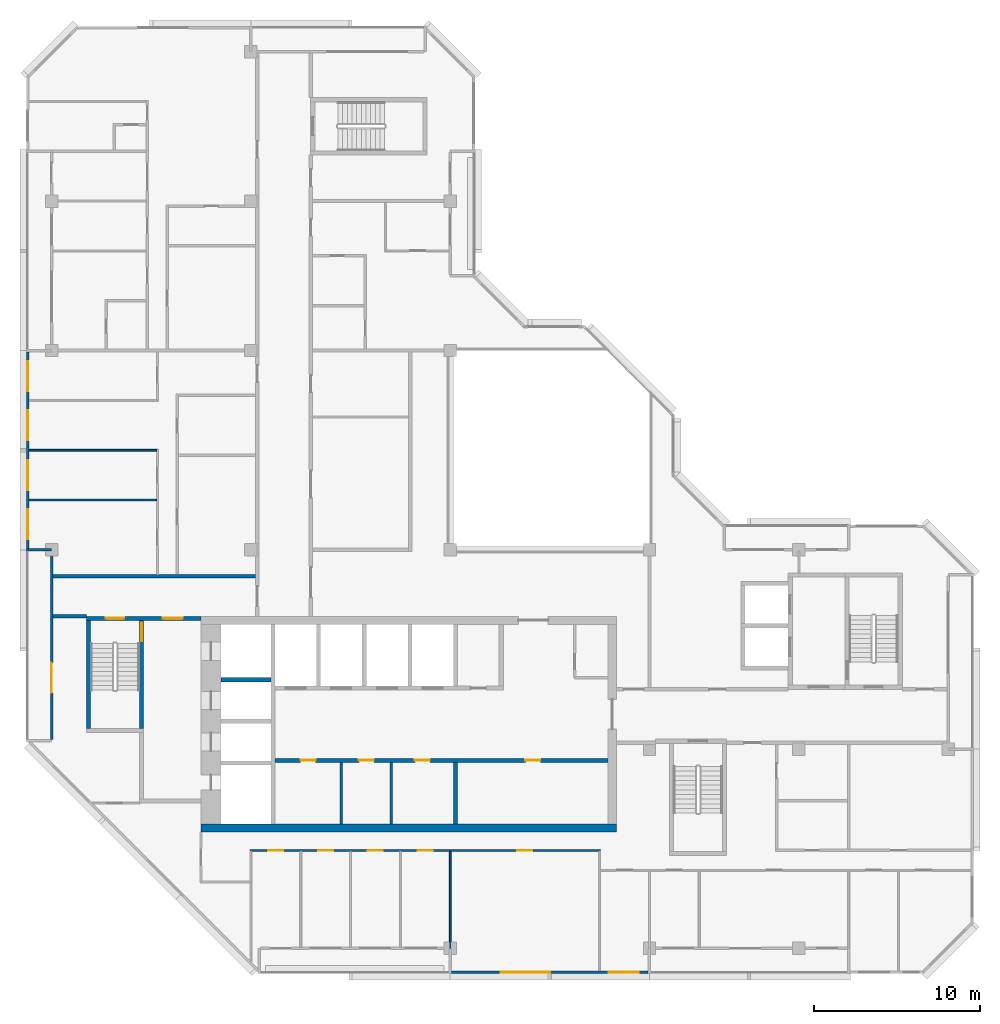
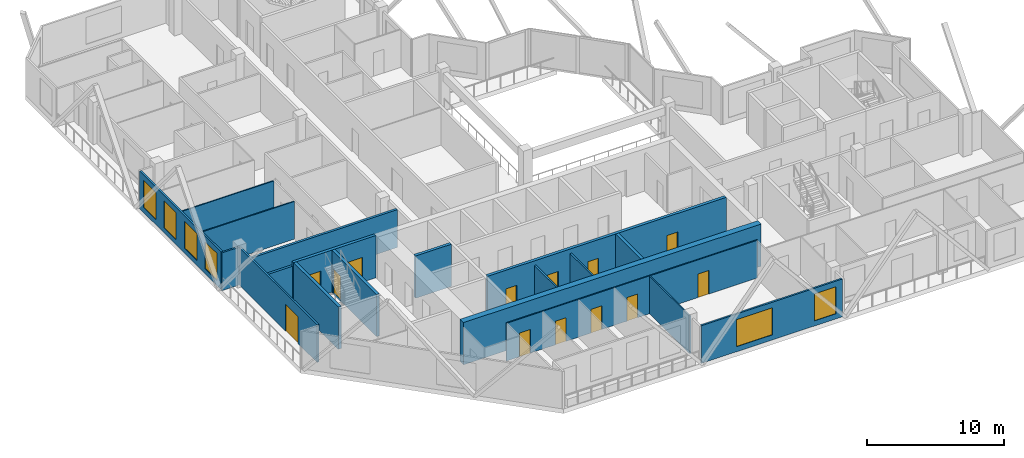
# One storey, part 4 of 11: 19 walls, 13 doors, 6 windows, 19 openings.
"""IFC4 building model written with IfcOpenShell, lengths in metres."""

from ifc_helpers import new_model, si_unit, direction, frame, frame_2d, origin, place, context, subcontext, project, spatial, rectangle, extrude, material, layer, layer_set, type_object, element, fill, save


model = new_model("IFC4")

# Units and contexts
model_context = context("Model", 3, precision=1e-05, world=origin(), true_north=direction((0.0, 1.0)))
body_context = subcontext(model_context, "Body", "Model", "MODEL_VIEW")
ifc_project = project(units=[si_unit("LENGTHUNIT", "METRE"), si_unit("AREAUNIT", "SQUARE_METRE"), si_unit("VOLUMEUNIT", "CUBIC_METRE"), si_unit("PLANEANGLEUNIT", "RADIAN"), si_unit("MASSUNIT", "GRAM", prefix="KILO")], contexts=[model_context])

# Site, building, storey
site_placement = place(None, origin())
site = spatial("IfcSite", under=ifc_project, at=site_placement, CompositionType="ELEMENT")
building_placement = place(site_placement, origin())
building = spatial("IfcBuilding", under=site, at=building_placement, Name="Chenar Terraces", CompositionType="ELEMENT")
storey_placement = place(building_placement, frame((0.0, 0.0, 376.39990234375)))
storey = spatial("IfcBuildingStorey", under=building, at=storey_placement, Name="L88", CompositionType="ELEMENT", Elevation=376.39990234375)

# Walls
ifc_material_1 = material(Name="Gypsum board on steel studs", Category="steel")
ifc_layer_1 = layer(ifc_material_1, 0.14990234375)
ifc_layer_set_1 = layer_set([ifc_layer_1], Name="Gypsum board on steel studs")
wall_type_1 = type_object("IfcWallType", Name="Core partition 150 gypsum board", PredefinedType="PARTITIONING", material=ifc_layer_set_1)
for number, where, z_axis, x_axis, name in (
    (1, (17.449951171875, 7.5, 0.0), (0.0, 0.0, 1.0), (0.0, 1.0, 0.0), "Core partition CP1 freed bay wall"),
    (2, (20.449951171875, 7.5, 0.0), (0.0, 0.0, 1.0), (0.0, 1.0, 0.0), "Core partition CP1 freed bay wall"),
):
    element("IfcWall", number, at=place(storey_placement, frame(where, z_axis=z_axis, x_axis=x_axis)), inside=storey, type_object=wall_type_1, Name=name, PredefinedType="PARTITIONING", context=body_context, shape_type="SweptSolid", body=[
        extrude(rectangle(XDim=3.699951171875, YDim=0.14990234375, at=frame_2d((1.85009765625, 0.0))), origin(), (0.0, 0.0, 1.0), 3.35009765625),
    ])

# Wall, openings, doors
ifc_material_2 = material(Name="Concrete C50/60", Category="concrete")
ifc_layer_2 = layer(ifc_material_2, 0.25)
ifc_layer_set_2 = layer_set([ifc_layer_2], Name="Concrete C50/60")
wall_type_2 = type_object("IfcWallType", Name="Core wall 250 Concrete C50/60", PredefinedType="SHEAR", material=ifc_layer_set_2)
wall_1_placement = place(storey_placement, frame((13.449951171875, 11.324951171875, 0.0), z_axis=(0.0, 0.0, 1.0), x_axis=(1.0, 0.0, 0.0)))
wall_1 = element("IfcWall", 3, at=wall_1_placement, inside=storey, type_object=wall_type_2, Name="Core wall SF L88", PredefinedType="SHEAR", context=body_context, shape_type="SweptSolid", body=[
    extrude(rectangle(XDim=20.050048828125, YDim=0.25, at=frame_2d((10.02490234375, 0.0))), origin(), (0.0, 0.0, 1.0), 3.75),
])
opening_1_placement = place(wall_1_placement, frame((1.550048828125, 0.0, 0.0)))
opening_1 = element("IfcOpeningElement", 4, at=opening_1_placement, cuts=wall_1, Name="Opening DL88-C12", PredefinedType="OPENING", context=body_context, shape_type="SweptSolid", body=[
    extrude(rectangle(XDim=0.89990234375, YDim=2.10009765625, at=frame_2d((0.449951171875, 1.050048828125))), frame((0.0, 0.135009765625, 0.0), z_axis=(0.0, -1.0, 0.0), x_axis=(1.0, 0.0, 0.0)), (0.0, 0.0, 1.0), 0.27001953125),
])
opening_2_placement = place(wall_1_placement, frame((5.050048828125, 0.0, 0.0)))
opening_2 = element("IfcOpeningElement", 5, at=opening_2_placement, cuts=wall_1, Name="Opening DL88-C13", PredefinedType="OPENING", context=body_context, shape_type="SweptSolid", body=[
    extrude(rectangle(XDim=0.89990234375, YDim=2.10009765625, at=frame_2d((0.449951171875, 1.050048828125))), frame((0.0, 0.135009765625, 0.0), z_axis=(0.0, -1.0, 0.0), x_axis=(1.0, 0.0, 0.0)), (0.0, 0.0, 1.0), 0.27001953125),
])
opening_3_placement = place(wall_1_placement, frame((8.425048828125, 0.0, 0.0)))
opening_3 = element("IfcOpeningElement", 6, at=opening_3_placement, cuts=wall_1, Name="Opening DL88-C14", PredefinedType="OPENING", context=body_context, shape_type="SweptSolid", body=[
    extrude(rectangle(XDim=0.89990234375, YDim=2.10009765625, at=frame_2d((0.449951171875, 1.050048828125))), frame((0.0, 0.135009765625, 0.0), z_axis=(0.0, -1.0, 0.0), x_axis=(1.0, 0.0, 0.0)), (0.0, 0.0, 1.0), 0.27001953125),
])
opening_4_placement = place(wall_1_placement, frame((15.074951171875, 0.0, 0.0)))
opening_4 = element("IfcOpeningElement", 7, at=opening_4_placement, cuts=wall_1, Name="Opening DL88-C15", PredefinedType="OPENING", context=body_context, shape_type="SweptSolid", body=[
    extrude(rectangle(XDim=0.89990234375, YDim=2.10009765625, at=frame_2d((0.449951171875, 1.050048828125))), frame((0.0, 0.135009765625, 0.0), z_axis=(0.0, -1.0, 0.0), x_axis=(1.0, 0.0, 0.0)), (0.0, 0.0, 1.0), 0.27001953125),
])
ifc_material_3 = material(Name="Steel-framed fire-resisting door leaf", Category="steel")
door_type_1 = type_object("IfcDoorType", Name="Riser fire door FD60 900 x 2100", OperationType="SINGLE_SWING_LEFT", PredefinedType="DOOR", material=ifc_material_3)
door_1_placement = place(opening_1_placement, frame((0.89990234375, 0.0, 0.0), z_axis=(0.0, 0.0, 1.0), x_axis=(-1.0, 0.0, 0.0)))
door_1 = element("IfcDoor", 8, at=door_1_placement, inside=storey, type_object=door_type_1, Name="Core room door DL88-C12", OperationType="SINGLE_SWING_LEFT", OverallHeight=2.10009765625, OverallWidth=0.89990234375, PredefinedType="DOOR", context=body_context, shape_type="SweptSolid", body=[
    extrude(rectangle(XDim=0.89990234375, YDim=2.10009765625, at=frame_2d((0.449951171875, 1.050048828125))), frame((0.0, 0.02490234375, 0.0), z_axis=(0.0, -1.0, 0.0), x_axis=(1.0, 0.0, 0.0)), (0.0, 0.0, 1.0), 0.050048828125),
])
fill(opening_1, door_1)
door_2_placement = place(opening_2_placement, frame((0.89990234375, 0.0, 0.0), z_axis=(0.0, 0.0, 1.0), x_axis=(-1.0, 0.0, 0.0)))
door_2 = element("IfcDoor", 9, at=door_2_placement, inside=storey, type_object=door_type_1, Name="Core room door DL88-C13", OperationType="SINGLE_SWING_LEFT", OverallHeight=2.10009765625, OverallWidth=0.89990234375, PredefinedType="DOOR", context=body_context, shape_type="SweptSolid", body=[
    extrude(rectangle(XDim=0.89990234375, YDim=2.10009765625, at=frame_2d((0.449951171875, 1.050048828125))), frame((0.0, 0.02490234375, 0.0), z_axis=(0.0, -1.0, 0.0), x_axis=(1.0, 0.0, 0.0)), (0.0, 0.0, 1.0), 0.050048828125),
])
fill(opening_2, door_2)
door_3_placement = place(opening_3_placement, frame((0.89990234375, 0.0, 0.0), z_axis=(0.0, 0.0, 1.0), x_axis=(-1.0, 0.0, 0.0)))
door_3 = element("IfcDoor", 10, at=door_3_placement, inside=storey, type_object=door_type_1, Name="Core room door DL88-C14", OperationType="SINGLE_SWING_RIGHT", OverallHeight=2.10009765625, OverallWidth=0.89990234375, PredefinedType="DOOR", context=body_context, shape_type="SweptSolid", body=[
    extrude(rectangle(XDim=0.89990234375, YDim=2.10009765625, at=frame_2d((0.449951171875, 1.050048828125))), frame((0.0, 0.02490234375, 0.0), z_axis=(0.0, -1.0, 0.0), x_axis=(1.0, 0.0, 0.0)), (0.0, 0.0, 1.0), 0.050048828125),
])
fill(opening_3, door_3)
door_4_placement = place(opening_4_placement, frame((0.89990234375, 0.0, 0.0), z_axis=(0.0, 0.0, 1.0), x_axis=(-1.0, 0.0, 0.0)))
door_4 = element("IfcDoor", 11, at=door_4_placement, inside=storey, type_object=door_type_1, Name="Core room door DL88-C15", OperationType="SINGLE_SWING_RIGHT", OverallHeight=2.10009765625, OverallWidth=0.89990234375, PredefinedType="DOOR", context=body_context, shape_type="SweptSolid", body=[
    extrude(rectangle(XDim=0.89990234375, YDim=2.10009765625, at=frame_2d((0.449951171875, 1.050048828125))), frame((0.0, 0.02490234375, 0.0), z_axis=(0.0, -1.0, 0.0), x_axis=(1.0, 0.0, 0.0)), (0.0, 0.0, 1.0), 0.050048828125),
])
fill(opening_4, door_4)

# Walls
wall_2_placement = place(storey_placement, frame((10.199951171875, 16.175048828125, 0.0), z_axis=(0.0, 0.0, 1.0), x_axis=(1.0, 0.0, 0.0)))
element("IfcWall", 12, at=wall_2_placement, inside=storey, type_object=wall_type_2, Name="Core wall HW2 L88", PredefinedType="SHEAR", context=body_context, shape_type="SweptSolid", body=[
    extrude(rectangle(XDim=3.0, YDim=0.25, at=frame_2d((1.5, 0.0))), origin(), (0.0, 0.0, 1.0), 3.75),
])
wall_3_placement = place(storey_placement, frame((24.324951171875, 7.5, 0.0), z_axis=(0.0, 0.0, 1.0), x_axis=(0.0, 1.0, 0.0)))
element("IfcWall", 13, at=wall_3_placement, inside=storey, type_object=wall_type_2, Name="Core wall SS3 L88", PredefinedType="SHEAR", context=body_context, shape_type="SweptSolid", body=[
    extrude(rectangle(XDim=3.699951171875, YDim=0.25, at=frame_2d((1.85009765625, 0.0))), origin(), (0.0, 0.0, 1.0), 3.75),
])

# Wall, openings, doors
wall_4_placement = place(storey_placement, frame((2.10009765625, 19.875, 0.0), z_axis=(0.0, 0.0, 1.0), x_axis=(1.0, 0.0, 0.0)))
wall_4 = element("IfcWall", 14, at=wall_4_placement, inside=storey, type_object=wall_type_2, Name="Core wall A_N L88", PredefinedType="SHEAR", context=body_context, shape_type="SweptSolid", body=[
    extrude(rectangle(XDim=6.89990234375, YDim=0.25, at=frame_2d((3.449951171875, 0.0))), origin(), (0.0, 0.0, 1.0), 3.75),
])
opening_5_placement = place(wall_4_placement, frame((1.175048828125, 0.0, 0.0)))
opening_5 = element("IfcOpeningElement", 15, at=opening_5_placement, cuts=wall_4, Name="Opening DL88-C5", PredefinedType="OPENING", context=body_context, shape_type="SweptSolid", body=[
    extrude(rectangle(XDim=1.10009765625, YDim=2.199951171875, at=frame_2d((0.550048828125, 1.10009765625))), frame((0.0, 0.135009765625, 0.0), z_axis=(0.0, -1.0, 0.0), x_axis=(1.0, 0.0, 0.0)), (0.0, 0.0, 1.0), 0.27001953125),
])
opening_6_placement = place(wall_4_placement, frame((4.60009765625, 0.0, 0.0)))
opening_6 = element("IfcOpeningElement", 16, at=opening_6_placement, cuts=wall_4, Name="Opening DL88-C6", PredefinedType="OPENING", context=body_context, shape_type="SweptSolid", body=[
    extrude(rectangle(XDim=1.199951171875, YDim=2.199951171875, at=frame_2d((0.60009765625, 1.10009765625))), frame((0.0, 0.135009765625, 0.0), z_axis=(0.0, -1.0, 0.0), x_axis=(1.0, 0.0, 0.0)), (0.0, 0.0, 1.0), 0.27001953125),
])
ifc_material_4 = material(Name="Steel-framed fire-resisting door leaf", Category="steel")
door_type_2 = type_object("IfcDoorType", Name="Lobby fire door FD60 1200 x 2200", OperationType="SINGLE_SWING_LEFT", PredefinedType="DOOR", material=ifc_material_4)
door_5_placement = place(opening_6_placement, frame((1.199951171875, 0.0, 0.0), z_axis=(0.0, 0.0, 1.0), x_axis=(-1.0, 0.0, 0.0)))
door_5 = element("IfcDoor", 17, at=door_5_placement, inside=storey, type_object=door_type_2, Name="Core door DL88-C6", OperationType="SINGLE_SWING_LEFT", OverallHeight=2.199951171875, OverallWidth=1.199951171875, PredefinedType="DOOR", context=body_context, shape_type="SweptSolid", body=[
    extrude(rectangle(XDim=1.199951171875, YDim=2.199951171875, at=frame_2d((0.60009765625, 1.10009765625))), frame((0.0, 0.02490234375, 0.0), z_axis=(0.0, -1.0, 0.0), x_axis=(1.0, 0.0, 0.0)), (0.0, 0.0, 1.0), 0.050048828125),
])
fill(opening_6, door_5)
ifc_material_5 = material(Name="Steel-framed fire-resisting door leaf", Category="steel")
door_type_3 = type_object("IfcDoorType", Name="Stair fire door FD60 1100 x 2200", OperationType="SINGLE_SWING_LEFT", PredefinedType="DOOR", material=ifc_material_5)
door_6_placement = place(opening_5_placement, origin())
door_6 = element("IfcDoor", 18, at=door_6_placement, inside=storey, type_object=door_type_3, Name="Stair door DL88-C5", OperationType="SINGLE_SWING_LEFT", OverallHeight=2.199951171875, OverallWidth=1.10009765625, PredefinedType="DOOR", context=body_context, shape_type="SweptSolid", body=[
    extrude(rectangle(XDim=1.10009765625, YDim=2.199951171875, at=frame_2d((0.550048828125, 1.10009765625))), frame((0.0, 0.02490234375, 0.0), z_axis=(0.0, -1.0, 0.0), x_axis=(1.0, 0.0, 0.0)), (0.0, 0.0, 1.0), 0.050048828125),
])
fill(opening_5, door_6)

# Wall
wall_5_placement = place(storey_placement, frame((2.22509765625, 13.25, 0.0), z_axis=(0.0, 0.0, 1.0), x_axis=(0.0, 1.0, 0.0)))
element("IfcWall", 19, at=wall_5_placement, inside=storey, type_object=wall_type_2, Name="Core wall ST1_W L88", PredefinedType="SHEAR", context=body_context, shape_type="SweptSolid", body=[
    extrude(rectangle(XDim=6.5, YDim=0.25, at=frame_2d((3.25, 0.0))), origin(), (0.0, 0.0, 1.0), 3.75),
])

# Wall, opening, door
wall_6_placement = place(storey_placement, frame((5.425048828125, 13.25, 0.0), z_axis=(0.0, 0.0, 1.0), x_axis=(0.0, 1.0, 0.0)))
wall_6 = element("IfcWall", 20, at=wall_6_placement, inside=storey, type_object=wall_type_2, Name="Core wall ST1_E L88", PredefinedType="SHEAR", context=body_context, shape_type="SweptSolid", body=[
    extrude(rectangle(XDim=6.5, YDim=0.25, at=frame_2d((3.25, 0.0))), origin(), (0.0, 0.0, 1.0), 3.75),
])
opening_7_placement = place(wall_6_placement, frame((5.25, 0.0, 0.0)))
opening_7 = element("IfcOpeningElement", 21, at=opening_7_placement, cuts=wall_6, Name="Opening DL88-C3", PredefinedType="OPENING", context=body_context, shape_type="SweptSolid", body=[
    extrude(rectangle(XDim=1.10009765625, YDim=2.199951171875, at=frame_2d((0.550048828125, 1.10009765625))), frame((0.0, 0.135009765625, 0.0), z_axis=(0.0, -1.0, 0.0), x_axis=(1.0, 0.0, 0.0)), (0.0, 0.0, 1.0), 0.27001953125),
])
door_7_placement = place(opening_7_placement, origin())
door_7 = element("IfcDoor", 22, at=door_7_placement, inside=storey, type_object=door_type_3, Name="Stair door DL88-C3", OperationType="SINGLE_SWING_RIGHT", OverallHeight=2.199951171875, OverallWidth=1.10009765625, PredefinedType="DOOR", context=body_context, shape_type="SweptSolid", body=[
    extrude(rectangle(XDim=1.10009765625, YDim=2.199951171875, at=frame_2d((0.550048828125, 1.10009765625))), frame((0.0, 0.02490234375, 0.0), z_axis=(0.0, -1.0, 0.0), x_axis=(1.0, 0.0, 0.0)), (0.0, 0.0, 1.0), 0.050048828125),
])
fill(opening_7, door_7)

# Walls
ifc_material_6 = material(Name="Concrete C50/60", Category="concrete")
ifc_layer_3 = layer(ifc_material_6, 0.5)
ifc_layer_set_3 = layer_set([ifc_layer_3], Name="Concrete C50/60")
wall_type_3 = type_object("IfcWallType", Name="Core wall 500 Concrete C50/60", PredefinedType="SHEAR", material=ifc_layer_set_3)
wall_7_placement = place(storey_placement, frame((9.0, 7.25, 0.0), z_axis=(0.0, 0.0, 1.0), x_axis=(1.0, 0.0, 0.0)))
element("IfcWall", 23, at=wall_7_placement, inside=storey, type_object=wall_type_3, Name="Core wall S L88", PredefinedType="SHEAR", context=body_context, shape_type="SweptSolid", body=[
    extrude(rectangle(XDim=25.0, YDim=0.5, at=frame_2d((12.5, 0.0))), origin(), (0.0, 0.0, 1.0), 3.75),
])
ifc_material_7 = material(Name="Gypsum board on steel studs with fire boards", Category="steel")
ifc_layer_4 = layer(ifc_material_7, 0.199951171875)
ifc_layer_set_4 = layer_set([ifc_layer_4], Name="Gypsum board on steel studs with fire boards")
wall_type_4 = type_object("IfcWallType", Name="Corridor wall 200", PredefinedType="PARTITIONING", material=ifc_layer_set_4)
wall_8_placement = place(storey_placement, frame((0.073974609375, 20.0, 0.0), z_axis=(0.0, 0.0, 1.0), x_axis=(1.0, 0.0, 0.0)))
element("IfcWall", 24, at=wall_8_placement, inside=storey, type_object=wall_type_4, Name="Partition L88-007", PredefinedType="PARTITIONING", context=body_context, shape_type="SweptSolid", body=[
    extrude(rectangle(XDim=2.026123046875, YDim=0.199951171875, at=frame_2d((1.01318359375, 0.0))), origin(), (0.0, 0.0, 1.0), 3.35009765625),
])
wall_9_placement = place(storey_placement, frame((0.073974609375, 22.39990234375, 0.0), z_axis=(0.0, 0.0, 1.0), x_axis=(1.0, 0.0, 0.0)))
element("IfcWall", 25, at=wall_9_placement, inside=storey, type_object=wall_type_4, Name="Partition L88-008", PredefinedType="PARTITIONING", context=body_context, shape_type="SweptSolid", body=[
    extrude(rectangle(XDim=12.200927734375, YDim=0.199951171875, at=frame_2d((6.1005859375, 0.0))), origin(), (0.0, 0.0, 1.0), 3.35009765625),
])

# Wall, openings, windows
ifc_material_8 = material(Name="Aluminium framed glazing", Category="aluminium")
ifc_layer_5 = layer(ifc_material_8, 0.14990234375)
ifc_layer_set_5 = layer_set([ifc_layer_5], Name="Aluminium framed glazing")
wall_type_5 = type_object("IfcWallType", Name="Glazed flush facade wall 150", PredefinedType="SOLIDWALL", material=ifc_layer_set_5)
wall_10_placement = place(storey_placement, frame((-1.425048828125, 35.925048828125, 0.0), z_axis=(0.0, 0.0, 1.0), x_axis=(0.0, -1.0, 0.0)))
wall_10 = element("IfcWall", 26, at=wall_10_placement, inside=storey, type_object=wall_type_5, Name="Glazed flush facade wall", PredefinedType="SOLIDWALL", context=body_context, shape_type="SweptSolid", body=[
    extrude(rectangle(XDim=11.85009765625, YDim=0.14990234375, at=frame_2d((5.925048828125, 0.0))), origin(), (0.0, 0.0, 1.0), 3.35009765625),
])
opening_8_placement = place(wall_10_placement, frame((0.5625, 0.0, 0.449951171875)))
opening_8 = element("IfcOpeningElement", 27, at=opening_8_placement, cuts=wall_10, Name="Opening W180x240", PredefinedType="OPENING", context=body_context, shape_type="SweptSolid", body=[
    extrude(rectangle(XDim=1.800048828125, YDim=2.39990234375, at=frame_2d((0.89990234375, 1.199951171875))), frame((0.0, 0.0849609375, 0.0), z_axis=(0.0, -1.0, 0.0), x_axis=(1.0, 0.0, 0.0)), (0.0, 0.0, 1.0), 0.169921875),
])
opening_9_placement = place(wall_10_placement, frame((3.52490234375, 0.0, 0.449951171875)))
opening_9 = element("IfcOpeningElement", 28, at=opening_9_placement, cuts=wall_10, Name="Opening W180x240", PredefinedType="OPENING", context=body_context, shape_type="SweptSolid", body=[
    extrude(rectangle(XDim=1.800048828125, YDim=2.39990234375, at=frame_2d((0.89990234375, 1.199951171875))), frame((0.0, 0.0849609375, 0.0), z_axis=(0.0, -1.0, 0.0), x_axis=(1.0, 0.0, 0.0)), (0.0, 0.0, 1.0), 0.169921875),
])
opening_10_placement = place(wall_10_placement, frame((6.52490234375, 0.0, 0.449951171875)))
opening_10 = element("IfcOpeningElement", 29, at=opening_10_placement, cuts=wall_10, Name="Opening W180x240", PredefinedType="OPENING", context=body_context, shape_type="SweptSolid", body=[
    extrude(rectangle(XDim=1.800048828125, YDim=2.39990234375, at=frame_2d((0.89990234375, 1.199951171875))), frame((0.0, 0.0849609375, 0.0), z_axis=(0.0, -1.0, 0.0), x_axis=(1.0, 0.0, 0.0)), (0.0, 0.0, 1.0), 0.169921875),
])
opening_11_placement = place(wall_10_placement, frame((9.487548828125, 0.0, 0.449951171875)))
opening_11 = element("IfcOpeningElement", 30, at=opening_11_placement, cuts=wall_10, Name="Opening W180x240", PredefinedType="OPENING", context=body_context, shape_type="SweptSolid", body=[
    extrude(rectangle(XDim=1.800048828125, YDim=2.39990234375, at=frame_2d((0.89990234375, 1.199951171875))), frame((0.0, 0.0849609375, 0.0), z_axis=(0.0, -1.0, 0.0), x_axis=(1.0, 0.0, 0.0)), (0.0, 0.0, 1.0), 0.169921875),
])
ifc_material_9 = material(Name="Low emissivity double glazing, aluminium frame", Category="aluminium")
window_type_1 = type_object("IfcWindowType", Name="Fixed light 1800 x 2400", PartitioningType="SINGLE_PANEL", PredefinedType="WINDOW", material=ifc_material_9)
window_1_placement = place(opening_8_placement, origin())
window_1 = element("IfcWindow", 31, at=window_1_placement, inside=storey, type_object=window_type_1, Name="Window", OverallHeight=2.39990234375, OverallWidth=1.800048828125, PartitioningType="SINGLE_PANEL", PredefinedType="WINDOW", context=body_context, shape_type="SweptSolid", body=[
    extrude(rectangle(XDim=1.800048828125, YDim=2.39990234375, at=frame_2d((0.89990234375, 1.199951171875))), frame((0.0, 0.030029296875, 0.0), z_axis=(0.0, -1.0, 0.0), x_axis=(1.0, 0.0, 0.0)), (0.0, 0.0, 1.0), 0.06005859375),
])
fill(opening_8, window_1)
window_2_placement = place(opening_9_placement, origin())
window_2 = element("IfcWindow", 32, at=window_2_placement, inside=storey, type_object=window_type_1, Name="Window", OverallHeight=2.39990234375, OverallWidth=1.800048828125, PartitioningType="SINGLE_PANEL", PredefinedType="WINDOW", context=body_context, shape_type="SweptSolid", body=[
    extrude(rectangle(XDim=1.800048828125, YDim=2.39990234375, at=frame_2d((0.89990234375, 1.199951171875))), frame((0.0, 0.030029296875, 0.0), z_axis=(0.0, -1.0, 0.0), x_axis=(1.0, 0.0, 0.0)), (0.0, 0.0, 1.0), 0.06005859375),
])
fill(opening_9, window_2)
window_3_placement = place(opening_10_placement, origin())
window_3 = element("IfcWindow", 33, at=window_3_placement, inside=storey, type_object=window_type_1, Name="Window", OverallHeight=2.39990234375, OverallWidth=1.800048828125, PartitioningType="SINGLE_PANEL", PredefinedType="WINDOW", context=body_context, shape_type="SweptSolid", body=[
    extrude(rectangle(XDim=1.800048828125, YDim=2.39990234375, at=frame_2d((0.89990234375, 1.199951171875))), frame((0.0, 0.030029296875, 0.0), z_axis=(0.0, -1.0, 0.0), x_axis=(1.0, 0.0, 0.0)), (0.0, 0.0, 1.0), 0.06005859375),
])
fill(opening_10, window_3)
window_4_placement = place(opening_11_placement, origin())
window_4 = element("IfcWindow", 34, at=window_4_placement, inside=storey, type_object=window_type_1, Name="Window", OverallHeight=2.39990234375, OverallWidth=1.800048828125, PartitioningType="SINGLE_PANEL", PredefinedType="WINDOW", context=body_context, shape_type="SweptSolid", body=[
    extrude(rectangle(XDim=1.800048828125, YDim=2.39990234375, at=frame_2d((0.89990234375, 1.199951171875))), frame((0.0, 0.030029296875, 0.0), z_axis=(0.0, -1.0, 0.0), x_axis=(1.0, 0.0, 0.0)), (0.0, 0.0, 1.0), 0.06005859375),
])
fill(opening_11, window_4)

wall_11_placement = place(storey_placement, frame((24.074951171875, -1.425048828125, 0.0), z_axis=(0.0, 0.0, 1.0), x_axis=(1.0, 0.0, 0.0)))
wall_11 = element("IfcWall", 35, at=wall_11_placement, inside=storey, type_object=wall_type_5, Name="Glazed flush facade wall", PredefinedType="SOLIDWALL", context=body_context, shape_type="SweptSolid", body=[
    extrude(rectangle(XDim=11.85009765625, YDim=0.14990234375, at=frame_2d((5.925048828125, 0.0))), origin(), (0.0, 0.0, 1.0), 3.35009765625),
])
opening_12_placement = place(wall_11_placement, frame((2.96240234375, 0.0, 0.449951171875)))
opening_12 = element("IfcOpeningElement", 36, at=opening_12_placement, cuts=wall_11, Name="Opening W300x240", PredefinedType="OPENING", context=body_context, shape_type="SweptSolid", body=[
    extrude(rectangle(XDim=3.0, YDim=2.39990234375, at=frame_2d((1.5, 1.199951171875))), frame((0.0, 0.0849609375, 0.0), z_axis=(0.0, -1.0, 0.0), x_axis=(1.0, 0.0, 0.0)), (0.0, 0.0, 1.0), 0.169921875),
])
opening_13_placement = place(wall_11_placement, frame((9.487548828125, 0.0, 0.449951171875)))
opening_13 = element("IfcOpeningElement", 37, at=opening_13_placement, cuts=wall_11, Name="Opening W180x240", PredefinedType="OPENING", context=body_context, shape_type="SweptSolid", body=[
    extrude(rectangle(XDim=1.800048828125, YDim=2.39990234375, at=frame_2d((0.89990234375, 1.199951171875))), frame((0.0, 0.0849609375, 0.0), z_axis=(0.0, -1.0, 0.0), x_axis=(1.0, 0.0, 0.0)), (0.0, 0.0, 1.0), 0.169921875),
])
window_5_placement = place(opening_13_placement, origin())
window_5 = element("IfcWindow", 38, at=window_5_placement, inside=storey, type_object=window_type_1, Name="Window", OverallHeight=2.39990234375, OverallWidth=1.800048828125, PartitioningType="SINGLE_PANEL", PredefinedType="WINDOW", context=body_context, shape_type="SweptSolid", body=[
    extrude(rectangle(XDim=1.800048828125, YDim=2.39990234375, at=frame_2d((0.89990234375, 1.199951171875))), frame((0.0, 0.030029296875, 0.0), z_axis=(0.0, -1.0, 0.0), x_axis=(1.0, 0.0, 0.0)), (0.0, 0.0, 1.0), 0.06005859375),
])
fill(opening_13, window_5)
ifc_material_10 = material(Name="Low emissivity double glazing, aluminium frame", Category="aluminium")
window_type_2 = type_object("IfcWindowType", Name="Fixed light 3000 x 2400", PartitioningType="SINGLE_PANEL", PredefinedType="WINDOW", material=ifc_material_10)
window_6_placement = place(opening_12_placement, origin())
window_6 = element("IfcWindow", 39, at=window_6_placement, inside=storey, type_object=window_type_2, Name="Window", OverallHeight=2.39990234375, OverallWidth=3.0, PartitioningType="SINGLE_PANEL", PredefinedType="WINDOW", context=body_context, shape_type="SweptSolid", body=[
    extrude(rectangle(XDim=3.0, YDim=2.39990234375, at=frame_2d((1.5, 1.199951171875))), frame((0.0, 0.030029296875, 0.0), z_axis=(0.0, -1.0, 0.0), x_axis=(1.0, 0.0, 0.0)), (0.0, 0.0, 1.0), 0.06005859375),
])
fill(opening_12, window_6)

# Wall, opening, door
ifc_material_11 = material(Name="Aluminium framed glazing", Category="aluminium")
ifc_layer_6 = layer(ifc_material_11, 0.14990234375)
ifc_layer_set_6 = layer_set([ifc_layer_6], Name="Aluminium framed glazing")
wall_type_6 = type_object("IfcWallType", Name="Glazed loggia back wall 150", PredefinedType="SOLIDWALL", material=ifc_layer_set_6)
wall_12_placement = place(storey_placement, frame((0.0, 23.925048828125, 0.0), z_axis=(0.0, 0.0, 1.0), x_axis=(0.0, -1.0, 0.0)))
wall_12 = element("IfcWall", 40, at=wall_12_placement, inside=storey, type_object=wall_type_6, Name="Glazed loggia back wall", PredefinedType="SOLIDWALL", context=body_context, shape_type="SweptSolid", body=[
    extrude(rectangle(XDim=11.35009765625, YDim=0.14990234375, at=frame_2d((5.675048828125, 0.0))), origin(), (0.0, 0.0, 1.0), 3.35009765625),
])
opening_14_placement = place(wall_12_placement, frame((6.737548828125, 0.0, 0.0)))
opening_14 = element("IfcOpeningElement", 41, at=opening_14_placement, cuts=wall_12, Name="Opening DL88-G2", PredefinedType="OPENING", context=body_context, shape_type="SweptSolid", body=[
    extrude(rectangle(XDim=1.800048828125, YDim=2.39990234375, at=frame_2d((0.89990234375, 1.199951171875))), frame((0.0, 0.0849609375, 0.0), z_axis=(0.0, -1.0, 0.0), x_axis=(1.0, 0.0, 0.0)), (0.0, 0.0, 1.0), 0.169921875),
])
ifc_material_12 = material(Name="Low emissivity double glazing, aluminium frame", Category="aluminium")
door_type_4 = type_object("IfcDoorType", Name="Loggia glazed double door 1800 x 2400", OperationType="DOUBLE_DOOR_SINGLE_SWING", PredefinedType="DOOR", material=ifc_material_12)
door_8_placement = place(opening_14_placement, frame((1.800048828125, 0.0, 0.0), z_axis=(0.0, 0.0, 1.0), x_axis=(-1.0, 0.0, 0.0)))
door_8 = element("IfcDoor", 42, at=door_8_placement, inside=storey, type_object=door_type_4, Name="Loggia glazed door", OperationType="DOUBLE_DOOR_SINGLE_SWING", OverallHeight=2.39990234375, OverallWidth=1.800048828125, PredefinedType="DOOR", context=body_context, shape_type="SweptSolid", body=[
    extrude(rectangle(XDim=1.800048828125, YDim=2.39990234375, at=frame_2d((0.89990234375, 1.199951171875))), frame((0.0, 0.02490234375, 0.0), z_axis=(0.0, -1.0, 0.0), x_axis=(1.0, 0.0, 0.0)), (0.0, 0.0, 1.0), 0.050048828125),
])
fill(opening_14, door_8)

# Walls
ifc_material_13 = material(Name="Gypsum board on steel studs", Category="steel")
ifc_layer_7 = layer(ifc_material_13, 0.10009765625)
ifc_layer_set_7 = layer_set([ifc_layer_7], Name="Gypsum board on steel studs")
wall_type_7 = type_object("IfcWallType", Name="Gypsum partition 100", PredefinedType="PARTITIONING", material=ifc_layer_set_7)
wall_13_placement = place(storey_placement, frame((-1.35107421875, 27.0, 0.0), z_axis=(0.0, 0.0, 1.0), x_axis=(1.0, 0.0, 0.0)))
element("IfcWall", 43, at=wall_13_placement, inside=storey, type_object=wall_type_7, Name="Partition L88-001", PredefinedType="PARTITIONING", context=body_context, shape_type="SweptSolid", body=[
    extrude(rectangle(XDim=7.676025390625, YDim=0.10009765625, at=frame_2d((3.837890625, 0.0))), origin(), (0.0, 0.0, 1.0), 3.35009765625),
])
wall_14_placement = place(storey_placement, frame((-1.35009765625, 30.0, 0.0), z_axis=(0.0, 0.0, 1.0), x_axis=(1.0, 0.0, 0.0)))
element("IfcWall", 44, at=wall_14_placement, inside=storey, type_object=wall_type_7, Name="Partition L88-002", PredefinedType="PARTITIONING", context=body_context, shape_type="SweptSolid", body=[
    extrude(rectangle(XDim=7.675048828125, YDim=0.10009765625, at=frame_2d((3.83740234375, 0.0))), origin(), (0.0, 0.0, 1.0), 3.35009765625),
])

# Wall, openings, doors
wall_15_placement = place(storey_placement, frame((11.949951171875, 5.89990234375, 0.0), z_axis=(0.0, 0.0, 1.0), x_axis=(1.0, 0.0, 0.0)))
wall_15 = element("IfcWall", 45, at=wall_15_placement, inside=storey, type_object=wall_type_7, Name="Partition L88-027", PredefinedType="PARTITIONING", context=body_context, shape_type="SweptSolid", body=[
    extrude(rectangle(XDim=21.10009765625, YDim=0.10009765625, at=frame_2d((10.550048828125, 0.0))), origin(), (0.0, 0.0, 1.0), 3.35009765625),
])
opening_15_placement = place(wall_15_placement, frame((1.10009765625, 0.0, 0.0)))
opening_15 = element("IfcOpeningElement", 46, at=opening_15_placement, cuts=wall_15, Name="Opening DL88-23", PredefinedType="OPENING", context=body_context, shape_type="SweptSolid", body=[
    extrude(rectangle(XDim=0.89990234375, YDim=2.10009765625, at=frame_2d((0.449951171875, 1.050048828125))), frame((0.0, 0.06005859375, 0.0), z_axis=(0.0, -1.0, 0.0), x_axis=(1.0, 0.0, 0.0)), (0.0, 0.0, 1.0), 0.1201171875),
])
opening_16_placement = place(wall_15_placement, frame((4.10009765625, 0.0, 0.0)))
opening_16 = element("IfcOpeningElement", 47, at=opening_16_placement, cuts=wall_15, Name="Opening DL88-24", PredefinedType="OPENING", context=body_context, shape_type="SweptSolid", body=[
    extrude(rectangle(XDim=0.89990234375, YDim=2.10009765625, at=frame_2d((0.449951171875, 1.050048828125))), frame((0.0, 0.06005859375, 0.0), z_axis=(0.0, -1.0, 0.0), x_axis=(1.0, 0.0, 0.0)), (0.0, 0.0, 1.0), 0.1201171875),
])
opening_17_placement = place(wall_15_placement, frame((7.10009765625, 0.0, 0.0)))
opening_17 = element("IfcOpeningElement", 48, at=opening_17_placement, cuts=wall_15, Name="Opening DL88-25", PredefinedType="OPENING", context=body_context, shape_type="SweptSolid", body=[
    extrude(rectangle(XDim=0.89990234375, YDim=2.10009765625, at=frame_2d((0.449951171875, 1.050048828125))), frame((0.0, 0.06005859375, 0.0), z_axis=(0.0, -1.0, 0.0), x_axis=(1.0, 0.0, 0.0)), (0.0, 0.0, 1.0), 0.1201171875),
])
opening_18_placement = place(wall_15_placement, frame((10.10009765625, 0.0, 0.0)))
opening_18 = element("IfcOpeningElement", 49, at=opening_18_placement, cuts=wall_15, Name="Opening DL88-26", PredefinedType="OPENING", context=body_context, shape_type="SweptSolid", body=[
    extrude(rectangle(XDim=0.89990234375, YDim=2.10009765625, at=frame_2d((0.449951171875, 1.050048828125))), frame((0.0, 0.06005859375, 0.0), z_axis=(0.0, -1.0, 0.0), x_axis=(1.0, 0.0, 0.0)), (0.0, 0.0, 1.0), 0.1201171875),
])
opening_19_placement = place(wall_15_placement, frame((16.10009765625, 0.0, 0.0)))
opening_19 = element("IfcOpeningElement", 50, at=opening_19_placement, cuts=wall_15, Name="Opening DL88-35", PredefinedType="OPENING", context=body_context, shape_type="SweptSolid", body=[
    extrude(rectangle(XDim=0.89990234375, YDim=2.10009765625, at=frame_2d((0.449951171875, 1.050048828125))), frame((0.0, 0.06005859375, 0.0), z_axis=(0.0, -1.0, 0.0), x_axis=(1.0, 0.0, 0.0)), (0.0, 0.0, 1.0), 0.1201171875),
])
ifc_material_14 = material(Name="Veneered timber door leaf", Category="wood")
door_type_5 = type_object("IfcDoorType", Name="Door 900 x 2100", OperationType="SINGLE_SWING_LEFT", PredefinedType="DOOR", material=ifc_material_14)
door_9_placement = place(opening_15_placement, frame((0.89990234375, 0.0, 0.0), z_axis=(0.0, 0.0, 1.0), x_axis=(-1.0, 0.0, 0.0)))
door_9 = element("IfcDoor", 51, at=door_9_placement, inside=storey, type_object=door_type_5, Name="Door DL88-23", OperationType="SINGLE_SWING_RIGHT", OverallHeight=2.10009765625, OverallWidth=0.89990234375, PredefinedType="DOOR", context=body_context, shape_type="SweptSolid", body=[
    extrude(rectangle(XDim=0.89990234375, YDim=2.10009765625, at=frame_2d((0.449951171875, 1.050048828125))), frame((0.0, 0.02490234375, 0.0), z_axis=(0.0, -1.0, 0.0), x_axis=(1.0, 0.0, 0.0)), (0.0, 0.0, 1.0), 0.050048828125),
])
fill(opening_15, door_9)
door_10_placement = place(opening_16_placement, frame((0.89990234375, 0.0, 0.0), z_axis=(0.0, 0.0, 1.0), x_axis=(-1.0, 0.0, 0.0)))
door_10 = element("IfcDoor", 52, at=door_10_placement, inside=storey, type_object=door_type_5, Name="Door DL88-24", OperationType="SINGLE_SWING_RIGHT", OverallHeight=2.10009765625, OverallWidth=0.89990234375, PredefinedType="DOOR", context=body_context, shape_type="SweptSolid", body=[
    extrude(rectangle(XDim=0.89990234375, YDim=2.10009765625, at=frame_2d((0.449951171875, 1.050048828125))), frame((0.0, 0.02490234375, 0.0), z_axis=(0.0, -1.0, 0.0), x_axis=(1.0, 0.0, 0.0)), (0.0, 0.0, 1.0), 0.050048828125),
])
fill(opening_16, door_10)
door_11_placement = place(opening_17_placement, frame((0.89990234375, 0.0, 0.0), z_axis=(0.0, 0.0, 1.0), x_axis=(-1.0, 0.0, 0.0)))
door_11 = element("IfcDoor", 53, at=door_11_placement, inside=storey, type_object=door_type_5, Name="Door DL88-25", OperationType="SINGLE_SWING_RIGHT", OverallHeight=2.10009765625, OverallWidth=0.89990234375, PredefinedType="DOOR", context=body_context, shape_type="SweptSolid", body=[
    extrude(rectangle(XDim=0.89990234375, YDim=2.10009765625, at=frame_2d((0.449951171875, 1.050048828125))), frame((0.0, 0.02490234375, 0.0), z_axis=(0.0, -1.0, 0.0), x_axis=(1.0, 0.0, 0.0)), (0.0, 0.0, 1.0), 0.050048828125),
])
fill(opening_17, door_11)
door_12_placement = place(opening_18_placement, frame((0.89990234375, 0.0, 0.0), z_axis=(0.0, 0.0, 1.0), x_axis=(-1.0, 0.0, 0.0)))
door_12 = element("IfcDoor", 54, at=door_12_placement, inside=storey, type_object=door_type_5, Name="Door DL88-26", OperationType="SINGLE_SWING_RIGHT", OverallHeight=2.10009765625, OverallWidth=0.89990234375, PredefinedType="DOOR", context=body_context, shape_type="SweptSolid", body=[
    extrude(rectangle(XDim=0.89990234375, YDim=2.10009765625, at=frame_2d((0.449951171875, 1.050048828125))), frame((0.0, 0.02490234375, 0.0), z_axis=(0.0, -1.0, 0.0), x_axis=(1.0, 0.0, 0.0)), (0.0, 0.0, 1.0), 0.050048828125),
])
fill(opening_18, door_12)
door_13_placement = place(opening_19_placement, frame((0.89990234375, 0.0, 0.0), z_axis=(0.0, 0.0, 1.0), x_axis=(-1.0, 0.0, 0.0)))
door_13 = element("IfcDoor", 55, at=door_13_placement, inside=storey, type_object=door_type_5, Name="Door DL88-35", OperationType="SINGLE_SWING_RIGHT", OverallHeight=2.10009765625, OverallWidth=0.89990234375, PredefinedType="DOOR", context=body_context, shape_type="SweptSolid", body=[
    extrude(rectangle(XDim=0.89990234375, YDim=2.10009765625, at=frame_2d((0.449951171875, 1.050048828125))), frame((0.0, 0.02490234375, 0.0), z_axis=(0.0, -1.0, 0.0), x_axis=(1.0, 0.0, 0.0)), (0.0, 0.0, 1.0), 0.050048828125),
])
fill(opening_19, door_13)

# Walls
wall_16_placement = place(storey_placement, frame((24.0, 0.0, 0.0), z_axis=(0.0, 0.0, 1.0), x_axis=(0.0, 1.0, 0.0)))
element("IfcWall", 56, at=wall_16_placement, inside=storey, type_object=wall_type_7, Name="Partition L88-045", PredefinedType="PARTITIONING", context=body_context, shape_type="SweptSolid", body=[
    extrude(rectangle(XDim=5.85009765625, YDim=0.10009765625, at=frame_2d((2.925048828125, 0.0))), origin(), (0.0, 0.0, 1.0), 3.35009765625),
])
ifc_material_15 = material(Name="Terracotta cladding on insulated backing", Category="masonry")
ifc_layer_8 = layer(ifc_material_15, 0.14990234375)
ifc_layer_set_8 = layer_set([ifc_layer_8], Name="Terracotta cladding on insulated backing")
wall_type_8 = type_object("IfcWallType", Name="Loggia return wall 150", PredefinedType="SOLIDWALL", material=ifc_layer_set_8)
wall_17_placement = place(storey_placement, frame((-1.5, 24.0, 0.0), z_axis=(0.0, 0.0, 1.0), x_axis=(1.0, 0.0, 0.0)))
element("IfcWall", 57, at=wall_17_placement, inside=storey, type_object=wall_type_8, Name="Loggia return wall", PredefinedType="SOLIDWALL", context=body_context, shape_type="SweptSolid", body=[
    extrude(rectangle(XDim=1.5, YDim=0.14990234375, at=frame_2d((0.75, 0.0))), origin(), (0.0, 0.0, 1.0), 3.35009765625),
])

save(model, "model.ifc")
